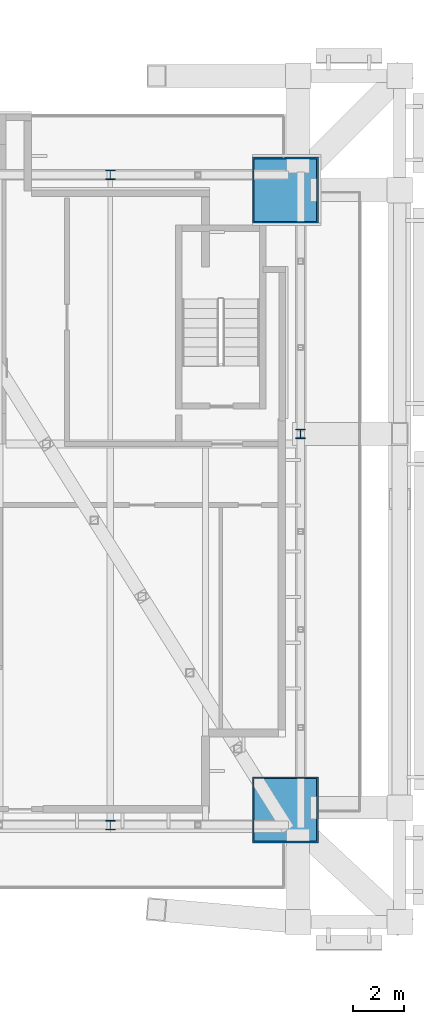
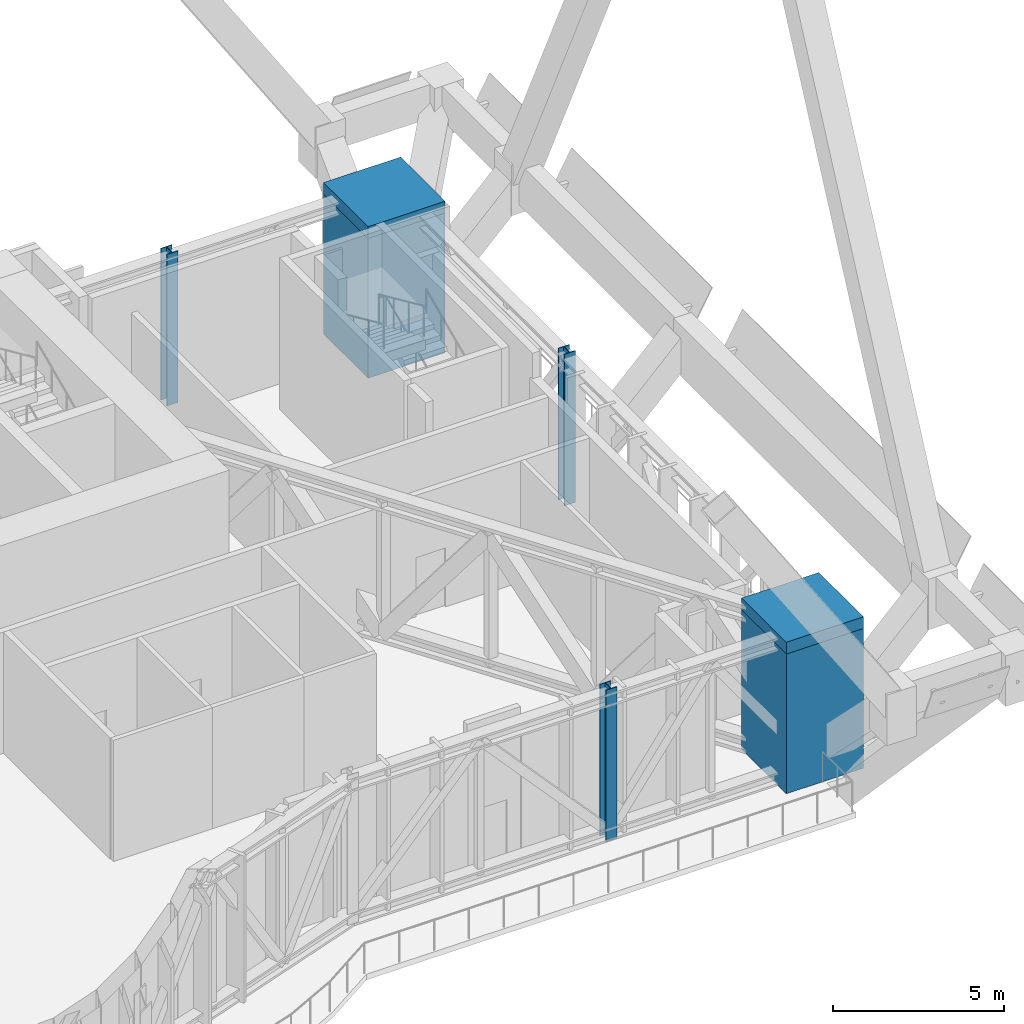
# One storey, part 4 of 31: 7 columns.
"""IFC4 building model written with IfcOpenShell, lengths in metres."""

from ifc_helpers import new_model, si_unit, direction, frame, origin, origin_2d, place, context, subcontext, project, spatial, rectangle, hollow_rectangle, i_section, extrude, material, material_profile, profile_set, type_object, element, save


model = new_model("IFC4")

# Units and contexts
model_context = context("Model", 3, precision=1e-05, world=origin(), true_north=direction((0.0, 1.0)))
body_context = subcontext(model_context, "Body", "Model", "MODEL_VIEW")
ifc_project = project(units=[si_unit("LENGTHUNIT", "METRE"), si_unit("AREAUNIT", "SQUARE_METRE"), si_unit("VOLUMEUNIT", "CUBIC_METRE"), si_unit("PLANEANGLEUNIT", "RADIAN"), si_unit("MASSUNIT", "GRAM", prefix="KILO")], contexts=[model_context])

# Site, building, storey
site_placement = place(None, origin())
site = spatial("IfcSite", under=ifc_project, at=site_placement, CompositionType="ELEMENT")
building_placement = place(site_placement, origin())
building = spatial("IfcBuilding", under=site, at=building_placement, Name="Bicima Exchange Tower", CompositionType="ELEMENT")
storey_placement = place(building_placement, frame((0.0, 0.0, 236.0)))
storey = spatial("IfcBuildingStorey", under=building, at=storey_placement, Name="L53", CompositionType="ELEMENT", Elevation=236.0)

# Columns
ifc_material_1 = material(Name="Steel ASTM A572 Gr 50", Category="steel")
ifc_material_profile_1 = material_profile(ifc_material_1, hollow_rectangle(XDim=2.60009765625, YDim=2.60009765625, WallThickness=0.070068359375, at=origin_2d()))
ifc_profile_set_1 = profile_set([ifc_material_profile_1], Name="Steel ASTM A572 Gr 50")
column_type_1 = type_object("IfcColumnType", Name="Mega column BOX 2600x2600x70", PredefinedType="COLUMN", material=ifc_profile_set_1)
for number, where, z_axis, x_axis, name in (
    (1, (33.0, -27.409912109375, 0.0), (0.0, 0.0, 1.0), (1.0, 0.0, 0.0), "Mega column mega+33.0f"),
    (2, (33.0, -3.0, 0.0), (0.0, 0.0, 1.0), (1.0, 0.0, 0.0), "Mega column mega+33.0r"),
):
    element("IfcColumn", number, at=place(storey_placement, frame(where, z_axis=z_axis, x_axis=x_axis)), inside=storey, type_object=column_type_1, Name=name, PredefinedType="COLUMN", context=body_context, shape_type="SweptSolid", body=[
        extrude(hollow_rectangle(XDim=2.60009765625, YDim=2.60009765625, WallThickness=0.070068359375, at=origin_2d()), origin(), (0.0, 0.0, 1.0), 4.97998046875),
    ])
ifc_material_profile_2 = material_profile(ifc_material_1, rectangle(XDim=2.60009765625, YDim=2.60009765625, at=origin_2d()))
ifc_profile_set_2 = profile_set([ifc_material_profile_2], Name="Steel ASTM A572 Gr 50")
column_type_2 = type_object("IfcColumnType", Name="Mega column transition block 2600 x 420", PredefinedType="COLUMN", material=ifc_profile_set_2)
for number, where, z_axis, x_axis, name in (
    (3, (33.0, -27.409912109375, 4.97998046875), (0.0, 0.0, 1.0), (1.0, 0.0, 0.0), "Mega column transition block mega+33.0f"),
    (4, (33.0, -3.0, 4.97998046875), (0.0, 0.0, 1.0), (1.0, 0.0, 0.0), "Mega column transition block mega+33.0r"),
):
    element("IfcColumn", number, at=place(storey_placement, frame(where, z_axis=z_axis, x_axis=x_axis)), inside=storey, type_object=column_type_2, Name=name, PredefinedType="COLUMN", context=body_context, shape_type="SweptSolid", body=[
        extrude(rectangle(XDim=2.60009765625, YDim=2.60009765625, at=origin_2d()), origin(), (0.0, 0.0, 1.0), 0.419921875),
    ])
ifc_material_2 = material(Name="Steel ASTM A992 Gr 50", Category="steel")
ifc_material_profile_3 = material_profile(ifc_material_2, i_section(OverallWidth=0.373291015625, OverallDepth=0.373291015625, WebThickness=0.016357421875, FlangeThickness=0.026123046875, at=origin_2d()))
ifc_profile_set_3 = profile_set([ifc_material_profile_3], Name="Steel ASTM A992 Gr 50")
column_type_3 = type_object("IfcColumnType", Name="Perimeter column W14x132", PredefinedType="COLUMN", material=ifc_profile_set_3)
for number, where, z_axis, x_axis, name in (
    (5, (26.10009765625, -28.010009765625, 0.0), (0.0, 0.0, 1.0), (1.0, 0.0, 0.0), "Perimeter column grav+26.1f"),
    (6, (26.10009765625, -2.39990234375, 0.0), (0.0, 0.0, 1.0), (1.0, 0.0, 0.0), "Perimeter column grav+26.1r"),
    (7, (33.60009765625, -12.60009765625, 0.0), (0.0, 0.0, 1.0), (1.0, 0.0, 0.0), "End column end+33.6e"),
):
    element("IfcColumn", number, at=place(storey_placement, frame(where, z_axis=z_axis, x_axis=x_axis)), inside=storey, type_object=column_type_3, Name=name, PredefinedType="COLUMN", context=body_context, shape_type="SweptSolid", body=[
        extrude(i_section(OverallWidth=0.373291015625, OverallDepth=0.373291015625, WebThickness=0.016357421875, FlangeThickness=0.026123046875, at=origin_2d()), origin(), (0.0, 0.0, 1.0), 5.39990234375),
    ])

save(model, "model.ifc")
